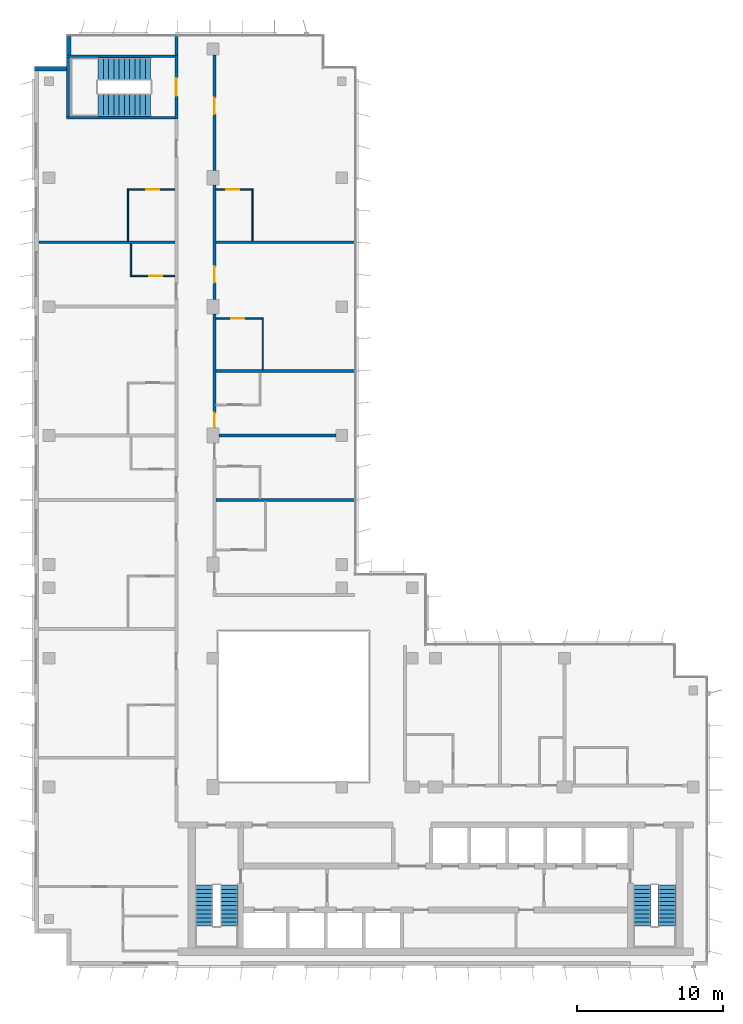
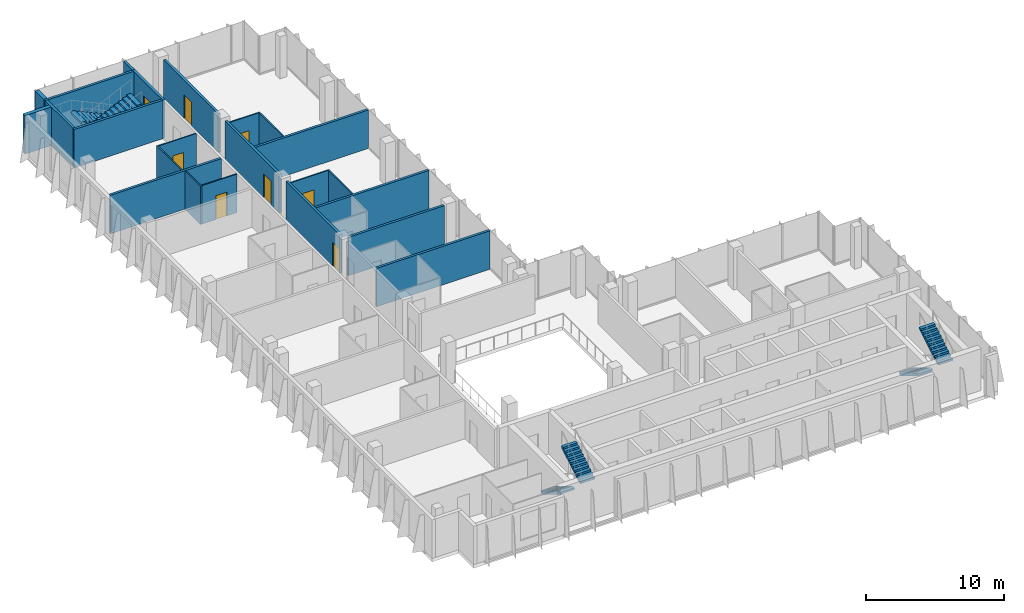
# One storey, part 12 of 15: 23 walls, 8 doors, 6 stair flights, 8 openings, 3 elements without a shape of their own.
"""IFC4 building model written with IfcOpenShell, lengths in metres."""

from ifc_helpers import new_model, si_unit, direction, frame, frame_2d, origin, place, context, subcontext, project, spatial, polyline, rectangle, outline, extrude, material, layer, layer_set, type_object, element, fill, aggregate, save


model = new_model("IFC4")

# Units and contexts
model_context = context("Model", 3, precision=1e-05, world=origin(), true_north=direction((0.0, 1.0)))
body_context = subcontext(model_context, "Body", "Model", "MODEL_VIEW")
ifc_project = project(units=[si_unit("LENGTHUNIT", "METRE"), si_unit("AREAUNIT", "SQUARE_METRE"), si_unit("VOLUMEUNIT", "CUBIC_METRE"), si_unit("PLANEANGLEUNIT", "RADIAN"), si_unit("MASSUNIT", "GRAM", prefix="KILO")], contexts=[model_context])

# Site, building, storey
site_placement = place(None, origin())
site = spatial("IfcSite", under=ifc_project, at=site_placement, CompositionType="ELEMENT")
building_placement = place(site_placement, origin())
building = spatial("IfcBuilding", under=site, at=building_placement, Name="Kemantara Hotel Tower", CompositionType="ELEMENT")
storey_placement = place(building_placement, frame((0.0, 0.0, 268.5)))
storey = spatial("IfcBuildingStorey", under=building, at=storey_placement, Name="L67", CompositionType="ELEMENT", Elevation=268.5)

# Walls
ifc_material_1 = material(Name="Bronze anodised aluminium cladding on insulated steel stud wall", Category="steel")
ifc_layer_1 = layer(ifc_material_1, 0.300048828125)
ifc_layer_set_1 = layer_set([ifc_layer_1], Name="Bronze anodised aluminium cladding on insulated steel stud wall")
wall_type_1 = type_object("IfcWallType", Name="BRONZE METAL-CLAD EXTERNAL WALL 300", PredefinedType="STANDARD", material=ifc_layer_set_1)
wall_1_placement = place(storey_placement, frame((2.35009765625, 63.449951171875, 0.0), z_axis=(0.0, 0.0, 1.0), x_axis=(0.0, -1.0, 0.0)))
element("IfcWall", 1, at=wall_1_placement, inside=storey, type_object=wall_type_1, Name="EXTERNAL WALL L67 T4-R03", PredefinedType="STANDARD", context=body_context, shape_type="SweptSolid", body=[
    extrude(rectangle(XDim=1.25, YDim=0.300048828125, at=frame_2d((0.625, 0.0))), origin(), (0.0, 0.0, 1.0), 3.39990234375),
])
wall_2_placement = place(storey_placement, frame((2.199951171875, 61.25, 0.0), z_axis=(0.0, 0.0, 1.0), x_axis=(-1.0, 0.0, 0.0)))
element("IfcWall", 2, at=wall_2_placement, inside=storey, type_object=wall_type_1, Name="EXTERNAL WALL L67 T4-R04", PredefinedType="STANDARD", context=body_context, shape_type="SweptSolid", body=[
    extrude(rectangle(XDim=2.199951171875, YDim=0.300048828125, at=frame_2d((1.10009765625, 0.0))), origin(), (0.0, 0.0, 1.0), 3.39990234375),
])
ifc_material_2 = material(Name="Gypsum board partition, steel studs and mineral wool, 200 mm", Category="steel")
ifc_layer_2 = layer(ifc_material_2, 0.199951171875)
ifc_layer_set_2 = layer_set([ifc_layer_2], Name="Gypsum board partition, steel studs and mineral wool, 200 mm")
wall_type_2 = type_object("IfcWallType", Name="CORRIDOR WALL 200", PredefinedType="PARTITIONING", material=ifc_layer_set_2)
wall_3_placement = place(storey_placement, frame((9.699951171875, 62.199951171875, 0.0), z_axis=(0.0, 0.0, 1.0), x_axis=(0.0, 1.0, 0.0)))
element("IfcWall", 3, at=wall_3_placement, inside=storey, type_object=wall_type_2, Name="CORRIDOR WALL 200 008", PredefinedType="PARTITIONING", context=body_context, shape_type="SweptSolid", body=[
    extrude(rectangle(XDim=1.280029296875, YDim=0.199951171875, at=frame_2d((0.64013671875, 0.0))), origin(), (0.0, 0.0, 1.0), 3.39990234375),
])

# Wall, opening, door
wall_4_placement = place(storey_placement, frame((12.300048828125, 44.5, 0.0), z_axis=(0.0, 0.0, 1.0), x_axis=(0.0, -1.0, 0.0)))
wall_4 = element("IfcWall", 4, at=wall_4_placement, inside=storey, type_object=wall_type_2, Name="CORRIDOR WALL 200 020", PredefinedType="PARTITIONING", context=body_context, shape_type="SweptSolid", body=[
    extrude(rectangle(XDim=7.7998046875, YDim=0.199951171875, at=frame_2d((3.89990234375, 0.0))), origin(), (0.0, 0.0, 1.0), 3.39990234375),
])
opening_1_placement = place(wall_4_placement, frame((6.75, 0.0, 0.0)))
opening_1 = element("IfcOpeningElement", 5, at=opening_1_placement, cuts=wall_4, Name="Opening F33-027", PredefinedType="OPENING", context=body_context, shape_type="SweptSolid", body=[
    extrude(rectangle(XDim=1.0, YDim=2.10009765625, at=frame_2d((0.5, 1.050048828125))), frame((0.0, 0.10986328125, 0.0), z_axis=(0.0, -1.0, 0.0), x_axis=(1.0, 0.0, 0.0)), (0.0, 0.0, 1.0), 0.219970703125),
])
ifc_material_3 = material(Name="Hardwood veneer door leaf with steel frame", Category="steel")
door_type_1 = type_object("IfcDoorType", Name="GUEST ROOM DOOR 1000 X 2100 FD30S", OperationType="NOTDEFINED", PredefinedType="DOOR", material=ifc_material_3)
door_1_placement = place(opening_1_placement, origin())
door_1 = element("IfcDoor", 6, at=door_1_placement, inside=storey, type_object=door_type_1, Name="GUEST ROOM DOOR F33-027", OperationType="SINGLE_SWING_RIGHT", OverallHeight=2.10009765625, OverallWidth=1.0, PredefinedType="DOOR", context=body_context, shape_type="SweptSolid", body=[
    extrude(rectangle(XDim=1.0, YDim=2.10009765625, at=frame_2d((0.5, 1.050048828125))), frame((0.0, 0.02490234375, 0.0), z_axis=(0.0, -1.0, 0.0), x_axis=(1.0, 0.0, 0.0)), (0.0, 0.0, 1.0), 0.050048828125),
])
fill(opening_1, door_1)

wall_5_placement = place(storey_placement, frame((12.300048828125, 53.2998046875, 0.0), z_axis=(0.0, 0.0, 1.0), x_axis=(0.0, -1.0, 0.0)))
wall_5 = element("IfcWall", 7, at=wall_5_placement, inside=storey, type_object=wall_type_2, Name="CORRIDOR WALL 200 021", PredefinedType="PARTITIONING", context=body_context, shape_type="SweptSolid", body=[
    extrude(rectangle(XDim=7.7998046875, YDim=0.199951171875, at=frame_2d((3.89990234375, 0.0))), origin(), (0.0, 0.0, 1.0), 3.39990234375),
])
opening_2_placement = place(wall_5_placement, frame((5.5498046875, 0.0, 0.0)))
opening_2 = element("IfcOpeningElement", 8, at=opening_2_placement, cuts=wall_5, Name="Opening F33-029", PredefinedType="OPENING", context=body_context, shape_type="SweptSolid", body=[
    extrude(rectangle(XDim=1.10009765625, YDim=2.10009765625, at=frame_2d((0.550048828125, 1.050048828125))), frame((0.0, 0.10986328125, 0.0), z_axis=(0.0, -1.0, 0.0), x_axis=(1.0, 0.0, 0.0)), (0.0, 0.0, 1.0), 0.219970703125),
])
door_type_2 = type_object("IfcDoorType", Name="SUITE ENTRANCE DOOR 1100 X 2100 FD30S", OperationType="NOTDEFINED", PredefinedType="DOOR", material=ifc_material_3)
door_2_placement = place(opening_2_placement, origin())
door_2 = element("IfcDoor", 9, at=door_2_placement, inside=storey, type_object=door_type_2, Name="SUITE ENTRANCE DOOR F33-029", OperationType="SINGLE_SWING_LEFT", OverallHeight=2.10009765625, OverallWidth=1.10009765625, PredefinedType="DOOR", context=body_context, shape_type="SweptSolid", body=[
    extrude(rectangle(XDim=1.10009765625, YDim=2.10009765625, at=frame_2d((0.550048828125, 1.050048828125))), frame((0.0, 0.02490234375, 0.0), z_axis=(0.0, -1.0, 0.0), x_axis=(1.0, 0.0, 0.0)), (0.0, 0.0, 1.0), 0.050048828125),
])
fill(opening_2, door_2)

wall_6_placement = place(storey_placement, frame((12.300048828125, 62.199951171875, 0.0), z_axis=(0.0, 0.0, 1.0), x_axis=(0.0, -1.0, 0.0)))
wall_6 = element("IfcWall", 10, at=wall_6_placement, inside=storey, type_object=wall_type_2, Name="CORRIDOR WALL 200 022", PredefinedType="PARTITIONING", context=body_context, shape_type="SweptSolid", body=[
    extrude(rectangle(XDim=7.89990234375, YDim=0.199951171875, at=frame_2d((3.949951171875, 0.0))), origin(), (0.0, 0.0, 1.0), 3.39990234375),
])
opening_3_placement = place(wall_6_placement, frame((2.949951171875, 0.0, 0.0)))
opening_3 = element("IfcOpeningElement", 11, at=opening_3_placement, cuts=wall_6, Name="Opening F33-031", PredefinedType="OPENING", context=body_context, shape_type="SweptSolid", body=[
    extrude(rectangle(XDim=1.10009765625, YDim=2.10009765625, at=frame_2d((0.550048828125, 1.050048828125))), frame((0.0, 0.10986328125, 0.0), z_axis=(0.0, -1.0, 0.0), x_axis=(1.0, 0.0, 0.0)), (0.0, 0.0, 1.0), 0.219970703125),
])
door_3_placement = place(opening_3_placement, origin())
door_3 = element("IfcDoor", 12, at=door_3_placement, inside=storey, type_object=door_type_2, Name="SUITE ENTRANCE DOOR F33-031", OperationType="SINGLE_SWING_LEFT", OverallHeight=2.10009765625, OverallWidth=1.10009765625, PredefinedType="DOOR", context=body_context, shape_type="SweptSolid", body=[
    extrude(rectangle(XDim=1.10009765625, YDim=2.10009765625, at=frame_2d((0.550048828125, 1.050048828125))), frame((0.0, 0.02490234375, 0.0), z_axis=(0.0, -1.0, 0.0), x_axis=(1.0, 0.0, 0.0)), (0.0, 0.0, 1.0), 0.050048828125),
])
fill(opening_3, door_3)

ifc_material_4 = material(Name="Concrete fc 40 MPa", Category="concrete")
ifc_layer_3 = layer(ifc_material_4, 0.199951171875)
ifc_layer_set_3 = layer_set([ifc_layer_3], Name="Concrete fc 40 MPa")
wall_type_3 = type_object("IfcWallType", Name="Concrete stair wall 200 mm", PredefinedType="SHEAR", material=ifc_layer_set_3)
wall_7_placement = place(storey_placement, frame((9.699951171875, 57.800048828125, 0.0), z_axis=(0.0, 0.0, 1.0), x_axis=(0.0, 1.0, 0.0)))
wall_7 = element("IfcWall", 13, at=wall_7_placement, inside=storey, type_object=wall_type_3, Name="Stair ST4 enclosure wall with door", PredefinedType="SHEAR", context=body_context, shape_type="SweptSolid", body=[
    extrude(rectangle(XDim=4.39990234375, YDim=0.199951171875, at=frame_2d((2.199951171875, 0.0))), origin(), (0.0, 0.0, 1.0), 3.39990234375),
])
opening_4_placement = place(wall_7_placement, frame((1.60009765625, 0.0, 0.0)))
opening_4 = element("IfcOpeningElement", 14, at=opening_4_placement, cuts=wall_7, Name="Opening ST4-C", PredefinedType="OPENING", context=body_context, shape_type="SweptSolid", body=[
    extrude(rectangle(XDim=1.199951171875, YDim=2.10009765625, at=frame_2d((0.60009765625, 1.050048828125))), frame((0.0, 0.10986328125, 0.0), z_axis=(0.0, -1.0, 0.0), x_axis=(1.0, 0.0, 0.0)), (0.0, 0.0, 1.0), 0.219970703125),
])
ifc_material_5 = material(Name="Steel fire door", Category="steel")
door_type_3 = type_object("IfcDoorType", Name="Fire door FD90 1200 x 2100", OperationType="NOTDEFINED", PredefinedType="DOOR", material=ifc_material_5)
door_4_placement = place(opening_4_placement, origin())
door_4 = element("IfcDoor", 15, at=door_4_placement, inside=storey, type_object=door_type_3, Name="Stair ST4 door", OperationType="SINGLE_SWING_RIGHT", OverallHeight=2.10009765625, OverallWidth=1.199951171875, PredefinedType="DOOR", context=body_context, shape_type="SweptSolid", body=[
    extrude(rectangle(XDim=1.199951171875, YDim=2.10009765625, at=frame_2d((0.60009765625, 1.050048828125))), frame((0.0, 0.02490234375, 0.0), z_axis=(0.0, -1.0, 0.0), x_axis=(1.0, 0.0, 0.0)), (0.0, 0.0, 1.0), 0.050048828125),
])
fill(opening_4, door_4)

# Walls
for number, where, z_axis, x_axis, name in (
    (16, (2.199951171875, 62.10009765625, 0.0), (0.0, 0.0, 1.0), (1.0, 0.0, 0.0), "Stair ST4 enclosure wall N"),
    (17, (2.199951171875, 57.89990234375, 0.0), (0.0, 0.0, 1.0), (1.0, 0.0, 0.0), "Stair ST4 enclosure wall S"),
):
    element("IfcWall", number, at=place(storey_placement, frame(where, z_axis=z_axis, x_axis=x_axis)), inside=storey, type_object=wall_type_3, Name=name, PredefinedType="SHEAR", context=body_context, shape_type="SweptSolid", body=[
        extrude(rectangle(XDim=7.400146484375, YDim=0.199951171875, at=frame_2d((3.7001953125, 0.0))), origin(), (0.0, 0.0, 1.0), 3.39990234375),
    ])
wall_8_placement = place(storey_placement, frame((2.300048828125, 58.0, 0.0), z_axis=(0.0, 0.0, 1.0), x_axis=(0.0, 1.0, 0.0)))
element("IfcWall", 18, at=wall_8_placement, inside=storey, type_object=wall_type_3, Name="Stair ST4 enclosure wall W", PredefinedType="SHEAR", context=body_context, shape_type="SweptSolid", body=[
    extrude(rectangle(XDim=4.0, YDim=0.199951171875, at=frame_2d((2.0, 0.0))), origin(), (0.0, 0.0, 1.0), 3.39990234375),
])
ifc_layer_4 = layer(ifc_material_2, 0.199951171875)
ifc_layer_set_4 = layer_set([ifc_layer_4], Name="Gypsum board partition, steel studs and mineral wool, 200 mm")
wall_type_4 = type_object("IfcWallType", Name="GUEST ROOM PARTY WALL 200", PredefinedType="PARTITIONING", material=ifc_layer_set_4)
wall_9_placement = place(storey_placement, frame((12.39990234375, 31.800048828125, 0.0), z_axis=(0.0, 0.0, 1.0), x_axis=(1.0, 0.0, 0.0)))
element("IfcWall", 19, at=wall_9_placement, inside=storey, type_object=wall_type_4, Name="GUEST ROOM PARTY WALL 200 012", PredefinedType="PARTITIONING", context=body_context, shape_type="SweptSolid", body=[
    extrude(rectangle(XDim=9.47021484375, YDim=0.199951171875, at=frame_2d((4.735107421875, 0.0))), origin(), (0.0, 0.0, 1.0), 3.39990234375),
])
wall_10_placement = place(storey_placement, frame((12.60009765625, 36.199951171875, 0.0), z_axis=(0.0, 0.0, 1.0), x_axis=(1.0, 0.0, 0.0)))
element("IfcWall", 20, at=wall_10_placement, inside=storey, type_object=wall_type_4, Name="GUEST ROOM PARTY WALL 200 014", PredefinedType="PARTITIONING", context=body_context, shape_type="SweptSolid", body=[
    extrude(rectangle(XDim=7.999755859375, YDim=0.199951171875, at=frame_2d((4.0, 0.0))), origin(), (0.0, 0.0, 1.0), 3.39990234375),
])
wall_11_placement = place(storey_placement, frame((0.31005859375, 49.39990234375, 0.0), z_axis=(0.0, 0.0, 1.0), x_axis=(1.0, 0.0, 0.0)))
element("IfcWall", 21, at=wall_11_placement, inside=storey, type_object=wall_type_4, Name="GUEST ROOM PARTY WALL 200 016", PredefinedType="PARTITIONING", context=body_context, shape_type="SweptSolid", body=[
    extrude(rectangle(XDim=9.2900390625, YDim=0.199951171875, at=frame_2d((4.64501953125, 0.0))), origin(), (0.0, 0.0, 1.0), 3.39990234375),
])
for number, where, z_axis, x_axis, name in (
    (22, (12.39990234375, 49.39990234375, 0.0), (0.0, 0.0, 1.0), (1.0, 0.0, 0.0), "GUEST ROOM PARTY WALL 200 017"),
    (23, (12.39990234375, 40.60009765625, 0.0), (0.0, 0.0, 1.0), (1.0, 0.0, 0.0), "GUEST ROOM PARTY WALL 200 024"),
):
    element("IfcWall", number, at=place(storey_placement, frame(where, z_axis=z_axis, x_axis=x_axis)), inside=storey, type_object=wall_type_4, Name=name, PredefinedType="PARTITIONING", context=body_context, shape_type="SweptSolid", body=[
        extrude(rectangle(XDim=9.47021484375, YDim=0.199951171875, at=frame_2d((4.735107421875, 0.0))), origin(), (0.0, 0.0, 1.0), 3.39990234375),
    ])
ifc_material_6 = material(Name="Gypsum board partition on steel studs, 100 mm", Category="steel")
ifc_layer_5 = layer(ifc_material_6, 0.10009765625)
ifc_layer_set_5 = layer_set([ifc_layer_5], Name="Gypsum board partition on steel studs, 100 mm")
wall_type_5 = type_object("IfcWallType", Name="ROOM PARTITION 100", PredefinedType="PARTITIONING", material=ifc_layer_set_5)
wall_12_placement = place(storey_placement, frame((6.39990234375, 49.5, 0.0), z_axis=(0.0, 0.0, 1.0), x_axis=(0.0, 1.0, 0.0)))
element("IfcWall", 24, at=wall_12_placement, inside=storey, type_object=wall_type_5, Name="ROOM PARTITION 100 039", PredefinedType="PARTITIONING", context=body_context, shape_type="SweptSolid", body=[
    extrude(rectangle(XDim=3.550048828125, YDim=0.10009765625, at=frame_2d((1.77490234375, 0.0))), origin(), (0.0, 0.0, 1.0), 3.39990234375),
])
wall_13_placement = place(storey_placement, frame((6.60009765625, 47.050048828125, 0.0), z_axis=(0.0, 0.0, 1.0), x_axis=(0.0, 1.0, 0.0)))
element("IfcWall", 25, at=wall_13_placement, inside=storey, type_object=wall_type_5, Name="ROOM PARTITION 100 043", PredefinedType="PARTITIONING", context=body_context, shape_type="SweptSolid", body=[
    extrude(rectangle(XDim=2.25, YDim=0.10009765625, at=frame_2d((1.125, 0.0))), origin(), (0.0, 0.0, 1.0), 3.39990234375),
])

# Wall, opening, door
wall_14_placement = place(storey_placement, frame((6.64990234375, 47.10009765625, 0.0), z_axis=(0.0, 0.0, 1.0), x_axis=(1.0, 0.0, 0.0)))
wall_14 = element("IfcWall", 26, at=wall_14_placement, inside=storey, type_object=wall_type_5, Name="ROOM PARTITION 100 046", PredefinedType="PARTITIONING", context=body_context, shape_type="SweptSolid", body=[
    extrude(rectangle(XDim=2.9501953125, YDim=0.10009765625, at=frame_2d((1.47509765625, 0.0))), origin(), (0.0, 0.0, 1.0), 3.39990234375),
])
opening_5_placement = place(wall_14_placement, frame((1.199951171875, 0.0, 0.0)))
opening_5 = element("IfcOpeningElement", 27, at=opening_5_placement, cuts=wall_14, Name="Opening F33-020", PredefinedType="OPENING", context=body_context, shape_type="SweptSolid", body=[
    extrude(rectangle(XDim=0.89990234375, YDim=2.10009765625, at=frame_2d((0.449951171875, 1.050048828125))), frame((0.0, 0.06005859375, 0.0), z_axis=(0.0, -1.0, 0.0), x_axis=(1.0, 0.0, 0.0)), (0.0, 0.0, 1.0), 0.1201171875),
])
door_type_4 = type_object("IfcDoorType", Name="BATHROOM DOOR 900 X 2100", OperationType="NOTDEFINED", PredefinedType="DOOR", material=ifc_material_3)
door_5_placement = place(opening_5_placement, origin())
door_5 = element("IfcDoor", 28, at=door_5_placement, inside=storey, type_object=door_type_4, Name="BATHROOM DOOR F33-020", OperationType="SINGLE_SWING_RIGHT", OverallHeight=2.10009765625, OverallWidth=0.89990234375, PredefinedType="DOOR", context=body_context, shape_type="SweptSolid", body=[
    extrude(rectangle(XDim=0.89990234375, YDim=2.10009765625, at=frame_2d((0.449951171875, 1.050048828125))), frame((0.0, 0.02490234375, 0.0), z_axis=(0.0, -1.0, 0.0), x_axis=(1.0, 0.0, 0.0)), (0.0, 0.0, 1.0), 0.050048828125),
])
fill(opening_5, door_5)

wall_15_placement = place(storey_placement, frame((9.60009765625, 53.0, 0.0), z_axis=(0.0, 0.0, 1.0), x_axis=(-1.0, 0.0, 0.0)))
wall_15 = element("IfcWall", 29, at=wall_15_placement, inside=storey, type_object=wall_type_5, Name="ROOM PARTITION 100 047", PredefinedType="PARTITIONING", context=body_context, shape_type="SweptSolid", body=[
    extrude(rectangle(XDim=3.150146484375, YDim=0.10009765625, at=frame_2d((1.5751953125, 0.0))), origin(), (0.0, 0.0, 1.0), 3.39990234375),
])
opening_6_placement = place(wall_15_placement, frame((1.050048828125, 0.0, 0.0)))
opening_6 = element("IfcOpeningElement", 30, at=opening_6_placement, cuts=wall_15, Name="Opening F33-022", PredefinedType="OPENING", context=body_context, shape_type="SweptSolid", body=[
    extrude(rectangle(XDim=0.89990234375, YDim=2.10009765625, at=frame_2d((0.449951171875, 1.050048828125))), frame((0.0, 0.06005859375, 0.0), z_axis=(0.0, -1.0, 0.0), x_axis=(1.0, 0.0, 0.0)), (0.0, 0.0, 1.0), 0.1201171875),
])
door_6_placement = place(opening_6_placement, origin())
door_6 = element("IfcDoor", 31, at=door_6_placement, inside=storey, type_object=door_type_4, Name="BATHROOM DOOR F33-022", OperationType="SINGLE_SWING_LEFT", OverallHeight=2.10009765625, OverallWidth=0.89990234375, PredefinedType="DOOR", context=body_context, shape_type="SweptSolid", body=[
    extrude(rectangle(XDim=0.89990234375, YDim=2.10009765625, at=frame_2d((0.449951171875, 1.050048828125))), frame((0.0, 0.02490234375, 0.0), z_axis=(0.0, -1.0, 0.0), x_axis=(1.0, 0.0, 0.0)), (0.0, 0.0, 1.0), 0.050048828125),
])
fill(opening_6, door_6)

wall_16_placement = place(storey_placement, frame((14.85009765625, 53.0, 0.0), z_axis=(0.0, 0.0, 1.0), x_axis=(-1.0, 0.0, 0.0)))
wall_16 = element("IfcWall", 32, at=wall_16_placement, inside=storey, type_object=wall_type_5, Name="ROOM PARTITION 100 048", PredefinedType="PARTITIONING", context=body_context, shape_type="SweptSolid", body=[
    extrude(rectangle(XDim=2.4501953125, YDim=0.10009765625, at=frame_2d((1.22509765625, 0.0))), origin(), (0.0, 0.0, 1.0), 3.39990234375),
])
opening_7_placement = place(wall_16_placement, frame((0.85009765625, 0.0, 0.0)))
opening_7 = element("IfcOpeningElement", 33, at=opening_7_placement, cuts=wall_16, Name="Opening F33-032", PredefinedType="OPENING", context=body_context, shape_type="SweptSolid", body=[
    extrude(rectangle(XDim=0.89990234375, YDim=2.10009765625, at=frame_2d((0.449951171875, 1.050048828125))), frame((0.0, 0.06005859375, 0.0), z_axis=(0.0, -1.0, 0.0), x_axis=(1.0, 0.0, 0.0)), (0.0, 0.0, 1.0), 0.1201171875),
])
door_7_placement = place(opening_7_placement, origin())
door_7 = element("IfcDoor", 34, at=door_7_placement, inside=storey, type_object=door_type_4, Name="BATHROOM DOOR F33-032", OperationType="SINGLE_SWING_RIGHT", OverallHeight=2.10009765625, OverallWidth=0.89990234375, PredefinedType="DOOR", context=body_context, shape_type="SweptSolid", body=[
    extrude(rectangle(XDim=0.89990234375, YDim=2.10009765625, at=frame_2d((0.449951171875, 1.050048828125))), frame((0.0, 0.02490234375, 0.0), z_axis=(0.0, -1.0, 0.0), x_axis=(1.0, 0.0, 0.0)), (0.0, 0.0, 1.0), 0.050048828125),
])
fill(opening_7, door_7)

# Wall
wall_17_placement = place(storey_placement, frame((15.60009765625, 40.699951171875, 0.0), z_axis=(0.0, 0.0, 1.0), x_axis=(0.0, 1.0, 0.0)))
element("IfcWall", 35, at=wall_17_placement, inside=storey, type_object=wall_type_5, Name="ROOM PARTITION 100 055", PredefinedType="PARTITIONING", context=body_context, shape_type="SweptSolid", body=[
    extrude(rectangle(XDim=3.550048828125, YDim=0.10009765625, at=frame_2d((1.77490234375, 0.0))), origin(), (0.0, 0.0, 1.0), 3.39990234375),
])

# Wall, opening, door
wall_18_placement = place(storey_placement, frame((15.550048828125, 44.199951171875, 0.0), z_axis=(0.0, 0.0, 1.0), x_axis=(-1.0, 0.0, 0.0)))
wall_18 = element("IfcWall", 36, at=wall_18_placement, inside=storey, type_object=wall_type_5, Name="ROOM PARTITION 100 056", PredefinedType="PARTITIONING", context=body_context, shape_type="SweptSolid", body=[
    extrude(rectangle(XDim=3.150146484375, YDim=0.10009765625, at=frame_2d((1.5751953125, 0.0))), origin(), (0.0, 0.0, 1.0), 3.39990234375),
])
opening_8_placement = place(wall_18_placement, frame((1.199951171875, 0.0, 0.0)))
opening_8 = element("IfcOpeningElement", 37, at=opening_8_placement, cuts=wall_18, Name="Opening F33-030", PredefinedType="OPENING", context=body_context, shape_type="SweptSolid", body=[
    extrude(rectangle(XDim=0.89990234375, YDim=2.10009765625, at=frame_2d((0.449951171875, 1.050048828125))), frame((0.0, 0.06005859375, 0.0), z_axis=(0.0, -1.0, 0.0), x_axis=(1.0, 0.0, 0.0)), (0.0, 0.0, 1.0), 0.1201171875),
])
door_8_placement = place(opening_8_placement, origin())
door_8 = element("IfcDoor", 38, at=door_8_placement, inside=storey, type_object=door_type_4, Name="BATHROOM DOOR F33-030", OperationType="SINGLE_SWING_RIGHT", OverallHeight=2.10009765625, OverallWidth=0.89990234375, PredefinedType="DOOR", context=body_context, shape_type="SweptSolid", body=[
    extrude(rectangle(XDim=0.89990234375, YDim=2.10009765625, at=frame_2d((0.449951171875, 1.050048828125))), frame((0.0, 0.02490234375, 0.0), z_axis=(0.0, -1.0, 0.0), x_axis=(1.0, 0.0, 0.0)), (0.0, 0.0, 1.0), 0.050048828125),
])
fill(opening_8, door_8)

# Wall
wall_19_placement = place(storey_placement, frame((14.89990234375, 49.5, 0.0), z_axis=(0.0, 0.0, 1.0), x_axis=(0.0, 1.0, 0.0)))
element("IfcWall", 39, at=wall_19_placement, inside=storey, type_object=wall_type_5, Name="ROOM PARTITION 100 057", PredefinedType="PARTITIONING", context=body_context, shape_type="SweptSolid", body=[
    extrude(rectangle(XDim=3.550048828125, YDim=0.10009765625, at=frame_2d((1.77490234375, 0.0))), origin(), (0.0, 0.0, 1.0), 3.39990234375),
])

# Stair, stair flights
stair_type_1 = type_object("IfcStairType", Name="Stair 1200 wide 22 risers of 168 x 280 mm", PredefinedType="HALF_TURN_STAIR", material=ifc_material_4)
stair_1_placement = place(storey_placement, origin())
stair_1 = element("IfcStair", 40, at=stair_1_placement, inside=storey, type_object=stair_type_1, Name="L67 Exit stair ST1", PredefinedType="HALF_TURN_STAIR")
stair_flight_type_1 = type_object("IfcStairFlightType", Name="Stair flight 1200 wide 168 x 280 mm", PredefinedType="STRAIGHT", material=ifc_material_4)
stair_flight_1_placement = place(storey_placement, frame((11.60009765625, 5.5, 0.0), z_axis=(0.0, 0.0, 1.0), x_axis=(0.0, -1.0, 0.0)))
stair_flight_1 = element("IfcStairFlight", 41, at=stair_flight_1_placement, type_object=stair_flight_type_1, Name="ST1 flight 1", NumberOfRisers=11, NumberOfTreads=10, PredefinedType="STRAIGHT", RiserHeight=0.168181818, TreadLength=0.28, context=body_context, shape_type="SweptSolid", body=[
    extrude(outline(polyline([(0.0, 0.0), (0.0, 0.168212890625), (0.280029296875, 0.168212890625), (0.280029296875, 0.33642578125), (0.56005859375, 0.33642578125), (0.56005859375, 0.504638671875), (0.840087890625, 0.504638671875), (0.840087890625, 0.672607421875), (1.1201171875, 0.672607421875), (1.1201171875, 0.8408203125), (1.39990234375, 0.8408203125), (1.39990234375, 1.009033203125), (1.679931640625, 1.009033203125), (1.679931640625, 1.17724609375), (1.9599609375, 1.17724609375), (1.9599609375, 1.345458984375), (2.239990234375, 1.345458984375), (2.239990234375, 1.513671875), (2.52001953125, 1.513671875), (2.52001953125, 1.681884765625), (2.800048828125, 1.681884765625), (2.800048828125, 1.85009765625), (2.800048828125, 1.5068359375), (0.291015625, 0.0), (0.0, 0.0)])), frame((0.0, 0.60009765625, 0.0), z_axis=(0.0, -1.0, 0.0), x_axis=(1.0, 0.0, 0.0)), (0.0, 0.0, 1.0), 1.199951171875),
])
stair_flight_2_placement = place(storey_placement, frame((13.300048828125, 2.699951171875, 1.85009765625), z_axis=(0.0, 0.0, 1.0), x_axis=(0.0, 1.0, 0.0)))
stair_flight_2 = element("IfcStairFlight", 42, at=stair_flight_2_placement, type_object=stair_flight_type_1, Name="ST1 flight 2", NumberOfRisers=11, NumberOfTreads=10, PredefinedType="STRAIGHT", RiserHeight=0.168181818, TreadLength=0.28, context=body_context, shape_type="SweptSolid", body=[
    extrude(outline(polyline([(0.0, 0.0), (0.0, 0.168212890625), (0.280029296875, 0.168212890625), (0.280029296875, 0.33642578125), (0.56005859375, 0.33642578125), (0.56005859375, 0.504638671875), (0.840087890625, 0.504638671875), (0.840087890625, 0.672607421875), (1.1201171875, 0.672607421875), (1.1201171875, 0.8408203125), (1.39990234375, 0.8408203125), (1.39990234375, 1.009033203125), (1.679931640625, 1.009033203125), (1.679931640625, 1.17724609375), (1.9599609375, 1.17724609375), (1.9599609375, 1.345458984375), (2.239990234375, 1.345458984375), (2.239990234375, 1.513671875), (2.52001953125, 1.513671875), (2.52001953125, 1.681884765625), (2.800048828125, 1.681884765625), (2.800048828125, 1.85009765625), (2.800048828125, 1.5068359375), (0.291015625, 0.0), (0.0, 0.0)])), frame((0.0, 0.60009765625, 0.0), z_axis=(0.0, -1.0, 0.0), x_axis=(1.0, 0.0, 0.0)), (0.0, 0.0, 1.0), 1.199951171875),
])
aggregate(stair_1, [stair_flight_1, stair_flight_2])

stair_2_placement = place(storey_placement, origin())
stair_2 = element("IfcStair", 43, at=stair_2_placement, inside=storey, type_object=stair_type_1, Name="L67 Exit stair ST2", PredefinedType="HALF_TURN_STAIR")
stair_flight_3_placement = place(storey_placement, frame((41.5, 5.5, 0.0), z_axis=(0.0, 0.0, 1.0), x_axis=(0.0, -1.0, 0.0)))
stair_flight_3 = element("IfcStairFlight", 44, at=stair_flight_3_placement, type_object=stair_flight_type_1, Name="ST2 flight 1", NumberOfRisers=11, NumberOfTreads=10, PredefinedType="STRAIGHT", RiserHeight=0.168181818, TreadLength=0.28, context=body_context, shape_type="SweptSolid", body=[
    extrude(outline(polyline([(0.0, 0.0), (0.0, 0.168212890625), (0.280029296875, 0.168212890625), (0.280029296875, 0.33642578125), (0.56005859375, 0.33642578125), (0.56005859375, 0.504638671875), (0.840087890625, 0.504638671875), (0.840087890625, 0.672607421875), (1.1201171875, 0.672607421875), (1.1201171875, 0.8408203125), (1.39990234375, 0.8408203125), (1.39990234375, 1.009033203125), (1.679931640625, 1.009033203125), (1.679931640625, 1.17724609375), (1.9599609375, 1.17724609375), (1.9599609375, 1.345458984375), (2.239990234375, 1.345458984375), (2.239990234375, 1.513671875), (2.52001953125, 1.513671875), (2.52001953125, 1.681884765625), (2.800048828125, 1.681884765625), (2.800048828125, 1.85009765625), (2.800048828125, 1.5068359375), (0.291015625, 0.0), (0.0, 0.0)])), frame((0.0, 0.60009765625, 0.0), z_axis=(0.0, -1.0, 0.0), x_axis=(1.0, 0.0, 0.0)), (0.0, 0.0, 1.0), 1.199951171875),
])
stair_flight_4_placement = place(storey_placement, frame((43.199951171875, 2.699951171875, 1.85009765625), z_axis=(0.0, 0.0, 1.0), x_axis=(0.0, 1.0, 0.0)))
stair_flight_4 = element("IfcStairFlight", 45, at=stair_flight_4_placement, type_object=stair_flight_type_1, Name="ST2 flight 2", NumberOfRisers=11, NumberOfTreads=10, PredefinedType="STRAIGHT", RiserHeight=0.168181818, TreadLength=0.28, context=body_context, shape_type="SweptSolid", body=[
    extrude(outline(polyline([(0.0, 0.0), (0.0, 0.168212890625), (0.280029296875, 0.168212890625), (0.280029296875, 0.33642578125), (0.56005859375, 0.33642578125), (0.56005859375, 0.504638671875), (0.840087890625, 0.504638671875), (0.840087890625, 0.672607421875), (1.1201171875, 0.672607421875), (1.1201171875, 0.8408203125), (1.39990234375, 0.8408203125), (1.39990234375, 1.009033203125), (1.679931640625, 1.009033203125), (1.679931640625, 1.17724609375), (1.9599609375, 1.17724609375), (1.9599609375, 1.345458984375), (2.239990234375, 1.345458984375), (2.239990234375, 1.513671875), (2.52001953125, 1.513671875), (2.52001953125, 1.681884765625), (2.800048828125, 1.681884765625), (2.800048828125, 1.85009765625), (2.800048828125, 1.5068359375), (0.291015625, 0.0), (0.0, 0.0)])), frame((0.0, 0.60009765625, 0.0), z_axis=(0.0, -1.0, 0.0), x_axis=(1.0, 0.0, 0.0)), (0.0, 0.0, 1.0), 1.199951171875),
])
aggregate(stair_2, [stair_flight_3, stair_flight_4])

stair_type_2 = type_object("IfcStairType", Name="Stair 1550 wide 22 risers of 168 x 360 mm", PredefinedType="HALF_TURN_STAIR", material=ifc_material_4)
stair_3_placement = place(storey_placement, origin())
stair_3 = element("IfcStair", 46, at=stair_3_placement, inside=storey, type_object=stair_type_2, Name="L67 Exit stair ST4", PredefinedType="HALF_TURN_STAIR")
stair_flight_type_2 = type_object("IfcStairFlightType", Name="Stair flight 1550 wide 168 x 360 mm", PredefinedType="STRAIGHT", material=ifc_material_4)
stair_flight_5_placement = place(storey_placement, frame((7.949951171875, 61.22509765625, 0.0), z_axis=(0.0, 0.0, 1.0), x_axis=(-1.0, 0.0, 0.0)))
stair_flight_5 = element("IfcStairFlight", 47, at=stair_flight_5_placement, type_object=stair_flight_type_2, Name="ST4 flight 1", NumberOfRisers=11, NumberOfTreads=10, PredefinedType="STRAIGHT", RiserHeight=0.168181818, TreadLength=0.36, context=body_context, shape_type="SweptSolid", body=[
    extrude(outline(polyline([(0.0, 0.0), (0.0, 0.168212890625), (0.360107421875, 0.168212890625), (0.360107421875, 0.33642578125), (0.719970703125, 0.33642578125), (0.719970703125, 0.504638671875), (1.080078125, 0.504638671875), (1.080078125, 0.672607421875), (1.43994140625, 0.672607421875), (1.43994140625, 0.8408203125), (1.800048828125, 0.8408203125), (1.800048828125, 1.009033203125), (2.159912109375, 1.009033203125), (2.159912109375, 1.17724609375), (2.52001953125, 1.17724609375), (2.52001953125, 1.345458984375), (2.8798828125, 1.345458984375), (2.8798828125, 1.513671875), (3.239990234375, 1.513671875), (3.239990234375, 1.681884765625), (3.60009765625, 1.681884765625), (3.60009765625, 1.85009765625), (3.60009765625, 1.516357421875), (0.354248046875, 0.0), (0.0, 0.0)])), frame((0.0, 0.77490234375, 0.0), z_axis=(0.0, -1.0, 0.0), x_axis=(1.0, 0.0, 0.0)), (0.0, 0.0, 1.0), 1.550048828125),
])
stair_flight_6_placement = place(storey_placement, frame((4.35009765625, 58.77490234375, 1.85009765625), z_axis=(0.0, 0.0, 1.0), x_axis=(1.0, 0.0, 0.0)))
stair_flight_6 = element("IfcStairFlight", 48, at=stair_flight_6_placement, type_object=stair_flight_type_2, Name="ST4 flight 2", NumberOfRisers=11, NumberOfTreads=10, PredefinedType="STRAIGHT", RiserHeight=0.168181818, TreadLength=0.36, context=body_context, shape_type="SweptSolid", body=[
    extrude(outline(polyline([(0.0, 0.0), (0.0, 0.168212890625), (0.360107421875, 0.168212890625), (0.360107421875, 0.33642578125), (0.719970703125, 0.33642578125), (0.719970703125, 0.504638671875), (1.080078125, 0.504638671875), (1.080078125, 0.672607421875), (1.43994140625, 0.672607421875), (1.43994140625, 0.8408203125), (1.800048828125, 0.8408203125), (1.800048828125, 1.009033203125), (2.159912109375, 1.009033203125), (2.159912109375, 1.17724609375), (2.52001953125, 1.17724609375), (2.52001953125, 1.345458984375), (2.8798828125, 1.345458984375), (2.8798828125, 1.513671875), (3.239990234375, 1.513671875), (3.239990234375, 1.681884765625), (3.60009765625, 1.681884765625), (3.60009765625, 1.85009765625), (3.60009765625, 1.516357421875), (0.354248046875, 0.0), (0.0, 0.0)])), frame((0.0, 0.77490234375, 0.0), z_axis=(0.0, -1.0, 0.0), x_axis=(1.0, 0.0, 0.0)), (0.0, 0.0, 1.0), 1.550048828125),
])
aggregate(stair_3, [stair_flight_5, stair_flight_6])

save(model, "model.ifc")
